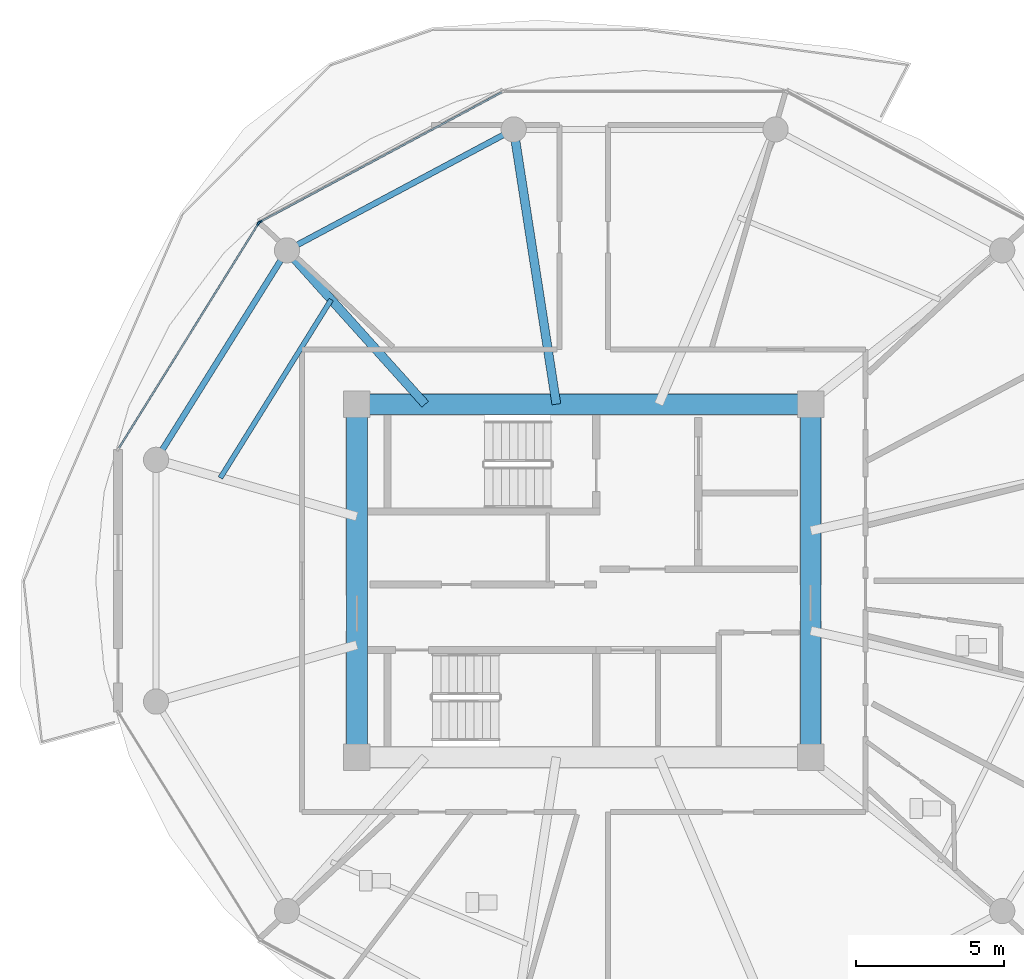
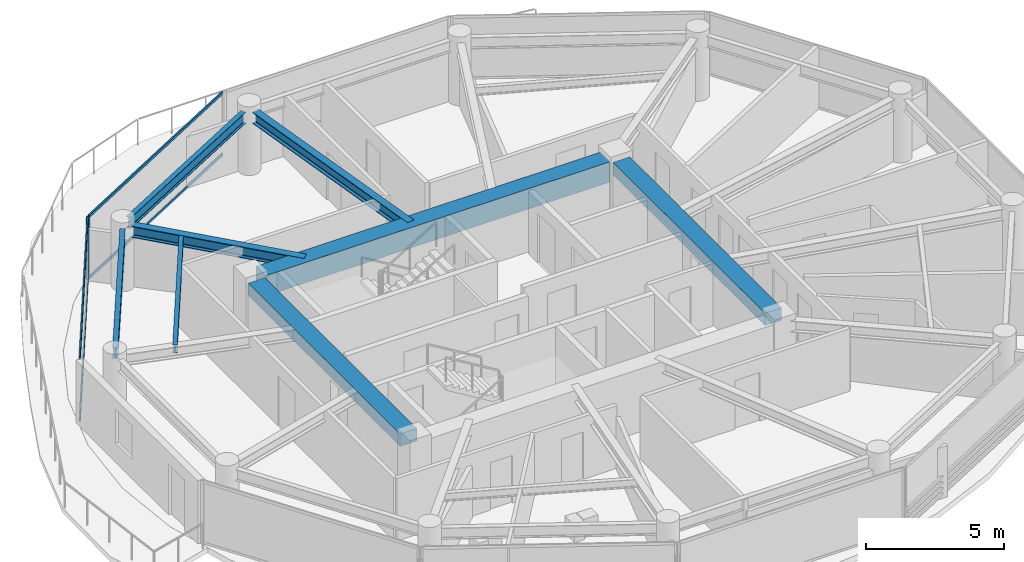
# One storey, part 4 of 25: 8 beams, 6 members, 2 elements without a shape of their own.
"""IFC4 building model written with IfcOpenShell, lengths in metres."""

from ifc_helpers import new_model, si_unit, direction, frame, origin, origin_2d, place, context, subcontext, project, spatial, rectangle, i_section, extrude, source, transform, mapped, material, layer, layer_set, material_profile, profile_set, type_object, type_shapes, element, aggregate, save


model = new_model("IFC4")

# Units and contexts
model_context = context("Model", 3, precision=1e-05, world=origin(), true_north=direction((0.0, 1.0)))
body_context = subcontext(model_context, "Body", "Model", "MODEL_VIEW")
ifc_project = project(units=[si_unit("LENGTHUNIT", "METRE"), si_unit("AREAUNIT", "SQUARE_METRE"), si_unit("VOLUMEUNIT", "CUBIC_METRE"), si_unit("PLANEANGLEUNIT", "RADIAN"), si_unit("MASSUNIT", "GRAM", prefix="KILO")], contexts=[model_context])

# Site, building, storey
site_placement = place(None, origin())
site = spatial("IfcSite", under=ifc_project, at=site_placement, CompositionType="ELEMENT")
building_placement = place(site_placement, origin())
building = spatial("IfcBuilding", under=site, at=building_placement, Name="Norrkilde Senior Care Towers", CompositionType="ELEMENT")
storey_placement = place(building_placement, frame((0.0, 0.0, 84.050048828125)))
storey = spatial("IfcBuildingStorey", under=building, at=storey_placement, Name="L25", CompositionType="ELEMENT", Elevation=84.050048828125)

# Beams
ifc_material_1 = material(Name="Concrete C60/75", Category="concrete")
ifc_material_profile_1 = material_profile(ifc_material_1, rectangle(XDim=0.699951171875, YDim=0.89990234375, at=origin_2d()), Name="RC BM 700x900")
ifc_profile_set_1 = profile_set([ifc_material_profile_1], Name="Concrete C60/75")
beam_type_1 = type_object("IfcBeamType", Name="Core Coupling Girder 700x900", PredefinedType="USERDEFINED", material=ifc_profile_set_1)
shared_shape_1 = source(origin(), body_context, "Body", "SweptSolid", [
    extrude(rectangle(XDim=0.699951171875, YDim=0.89990234375, at=origin_2d()), origin(), (0.0, 0.0, 1.0), 14.43994140625),
])
type_shapes(beam_type_1, [shared_shape_1])
beam_1_placement = place(storey_placement, frame((-35.219970703125, 5.949951171875, 2.33984375), z_axis=(1.0, 0.0, 0.0), x_axis=(0.0, 1.0, 0.0)))
element("IfcBeam", 1, at=beam_1_placement, inside=storey, type_object=beam_type_1, Name="L25 Core W N Coupling Girder", ObjectType="GIRDER", PredefinedType="USERDEFINED", context=body_context, shape_type="MappedRepresentation", body=[
    mapped(shared_shape_1, transform((0.0, 0.0, 0.0), x_axis=(1.0, 0.0, 0.0), y_axis=(0.0, 1.0, 0.0), z_axis=(0.0, 0.0, 1.0), scale=1.0)),
])
ifc_material_profile_2 = material_profile(ifc_material_1, rectangle(XDim=0.699951171875, YDim=0.550048828125, at=origin_2d()), Name="RC BM 700x550")
ifc_profile_set_2 = profile_set([ifc_material_profile_2], Name="Concrete C60/75")
beam_type_2 = type_object("IfcBeamType", Name="Core Portal Coupling Beam 700x550", PredefinedType="USERDEFINED", material=ifc_profile_set_2)
shared_shape_2 = source(origin(), body_context, "Body", "SweptSolid", [
    extrude(rectangle(XDim=0.699951171875, YDim=0.550048828125, at=origin_2d()), origin(), (0.0, 0.0, 1.0), 11.0400390625),
])
type_shapes(beam_type_2, [shared_shape_2])
for number, where, z_axis, x_axis, name in (
    (2, (-35.64990234375, -5.52001953125, 2.514892578125), (0.0, 1.0, 0.0), (-1.0, 0.0, 0.0), "L25 Core W W Coupling Girder"),
    (3, (-20.35009765625, -5.52001953125, 2.514892578125), (0.0, 1.0, 0.0), (-1.0, 0.0, 0.0), "L25 Core W E Coupling Girder"),
):
    element("IfcBeam", number, at=place(storey_placement, frame(where, z_axis=z_axis, x_axis=x_axis)), inside=storey, type_object=beam_type_2, Name=name, ObjectType="GIRDER", PredefinedType="USERDEFINED", context=body_context, shape_type="MappedRepresentation", body=[
        mapped(shared_shape_2, transform((0.0, 0.0, 0.0), x_axis=(1.0, 0.0, 0.0), y_axis=(0.0, 1.0, 0.0), z_axis=(0.0, 0.0, 1.0), scale=1.0)),
    ])
ifc_material_2 = material(Name="Steel S355", Category="steel")
ifc_material_profile_3 = material_profile(ifc_material_2, i_section(OverallWidth=0.199951171875, OverallDepth=0.5, WebThickness=0.01025390625, FlangeThickness=0.01611328125, FilletRadius=0.02099609375, at=origin_2d()), Name="IPE 500")
ifc_profile_set_3 = profile_set([ifc_material_profile_3], Name="Steel S355")
beam_type_3 = type_object("IfcBeamType", Name="Perimeter Ring Spandrel Z2 IPE500", PredefinedType="SPANDREL", material=ifc_profile_set_3)
shared_shape_3 = source(origin(), body_context, "Body", "SweptSolid", [
    extrude(i_section(OverallWidth=0.199951171875, OverallDepth=0.5, WebThickness=0.01025390625, FlangeThickness=0.01611328125, FilletRadius=0.02099609375, at=origin_2d()), origin(), (0.0, 0.0, 1.0), 7.892333984375),
])
beam_2_placement = place(storey_placement, frame((-30.70263671875, 15.0322265625, 2.5400390625), z_axis=(-0.882350372282, -0.47059305194, 0.0), x_axis=(0.47059305194, -0.882350372282, 0.0)))
element("IfcBeam", 4, at=beam_2_placement, inside=storey, type_object=beam_type_3, Name="L25 Drum W Perimeter Spandrel 04", PredefinedType="SPANDREL", context=body_context, shape_type="MappedRepresentation", body=[
    mapped(shared_shape_3, transform((0.0, 0.0, 0.0), x_axis=(1.0, 0.0, 0.0), y_axis=(0.0, 1.0, 0.0), z_axis=(0.0, 0.0, 1.0), scale=1.0)),
])
ifc_material_profile_4 = material_profile(ifc_material_2, i_section(OverallWidth=0.300048828125, OverallDepth=0.5, WebThickness=0.014404296875, FlangeThickness=0.028076171875, FilletRadius=0.027099609375, at=origin_2d()), Name="HEB 500")
ifc_profile_set_4 = profile_set([ifc_material_profile_4], Name="Steel S355")
beam_type_4 = type_object("IfcBeamType", Name="Radial Floor Beam Z2 HEB500", PredefinedType="BEAM", material=ifc_profile_set_4)
shared_shape_4 = source(origin(), body_context, "Body", "SweptSolid", [
    extrude(i_section(OverallWidth=0.300048828125, OverallDepth=0.5, WebThickness=0.014404296875, FlangeThickness=0.028076171875, FilletRadius=0.027099609375, at=origin_2d()), origin(), (0.0, 0.0, 1.0), 8.989501953125),
])
beam_3_placement = place(storey_placement, frame((-28.924072265625, 5.949951171875, 2.5400390625), z_axis=(-0.153471298636, 0.988153105796, 0.0), x_axis=(-0.988153105796, -0.153471298636, 0.0)))
element("IfcBeam", 5, at=beam_3_placement, inside=storey, type_object=beam_type_4, Name="L25 Drum W Radial Floor Beam 04", PredefinedType="BEAM", context=body_context, shape_type="MappedRepresentation", body=[
    mapped(shared_shape_4, transform((0.0, 0.0, 0.0), x_axis=(1.0, 0.0, 0.0), y_axis=(0.0, 1.0, 0.0), z_axis=(0.0, 0.0, 1.0), scale=1.0)),
])
shared_shape_5 = source(origin(), body_context, "Body", "SweptSolid", [
    extrude(i_section(OverallWidth=0.199951171875, OverallDepth=0.5, WebThickness=0.01025390625, FlangeThickness=0.01611328125, FilletRadius=0.02099609375, at=origin_2d()), origin(), (0.0, 0.0, 1.0), 7.556396484375),
])
type_shapes(beam_type_3, [shared_shape_3, shared_shape_5])
beam_4_placement = place(storey_placement, frame((-38.210205078125, 10.810546875, 2.5400390625), z_axis=(-0.530004748437, -0.847994673706, 0.0), x_axis=(0.847994673706, -0.530004748437, 0.0)))
element("IfcBeam", 6, at=beam_4_placement, inside=storey, type_object=beam_type_3, Name="L25 Drum W Perimeter Spandrel 05", PredefinedType="SPANDREL", context=body_context, shape_type="MappedRepresentation", body=[
    mapped(shared_shape_5, transform((0.0, 0.0, 0.0), x_axis=(1.0, 0.0, 0.0), y_axis=(0.0, 1.0, 0.0), z_axis=(0.0, 0.0, 1.0), scale=1.0)),
])
shared_shape_6 = source(origin(), body_context, "Body", "SweptSolid", [
    extrude(i_section(OverallWidth=0.300048828125, OverallDepth=0.5, WebThickness=0.014404296875, FlangeThickness=0.028076171875, FilletRadius=0.027099609375, at=origin_2d()), origin(), (0.0, 0.0, 1.0), 6.587890625),
])
type_shapes(beam_type_4, [shared_shape_4, shared_shape_6])
beam_5_placement = place(storey_placement, frame((-33.345947265625, 5.949951171875, 2.5400390625), z_axis=(-0.668315438605, 0.743877997068, 0.0), x_axis=(-0.743877997068, -0.668315438605, 0.0)))
element("IfcBeam", 7, at=beam_5_placement, inside=storey, type_object=beam_type_4, Name="L25 Drum W Radial Floor Beam 05", PredefinedType="BEAM", context=body_context, shape_type="MappedRepresentation", body=[
    mapped(shared_shape_6, transform((0.0, 0.0, 0.0), x_axis=(1.0, 0.0, 0.0), y_axis=(0.0, 1.0, 0.0), z_axis=(0.0, 0.0, 1.0), scale=1.0)),
])
ifc_material_profile_5 = material_profile(ifc_material_2, i_section(OverallWidth=0.169921875, OverallDepth=0.360107421875, WebThickness=0.008056640625, FlangeThickness=0.0126953125, FilletRadius=0.01806640625, at=origin_2d()), Name="IPE 360")
ifc_profile_set_5 = profile_set([ifc_material_profile_5], Name="Steel S355")
beam_type_5 = type_object("IfcBeamType", Name="Secondary Floor Joist IPE360", PredefinedType="JOIST", material=ifc_profile_set_5)
shared_shape_7 = source(origin(), body_context, "Body", "SweptSolid", [
    extrude(i_section(OverallWidth=0.169921875, OverallDepth=0.360107421875, WebThickness=0.008056640625, FlangeThickness=0.0126953125, FilletRadius=0.01806640625, at=origin_2d()), origin(), (0.0, 0.0, 1.0), 7.080078125),
])
type_shapes(beam_type_5, [shared_shape_7])
beam_6_placement = place(storey_placement, frame((-36.514892578125, 9.47705078125, 2.60986328125), z_axis=(-0.527961009189, -0.849268610497, 0.0), x_axis=(0.849268610497, -0.527961009189, 0.0)))
element("IfcBeam", 8, at=beam_6_placement, inside=storey, type_object=beam_type_5, Name="L25 Drum W Secondary Floor Joist 2", PredefinedType="JOIST", context=body_context, shape_type="MappedRepresentation", body=[
    mapped(shared_shape_7, transform((0.0, 0.0, 0.0), x_axis=(1.0, 0.0, 0.0), y_axis=(0.0, 1.0, 0.0), z_axis=(0.0, 0.0, 1.0), scale=1.0)),
])

# Curtain wall, member
ifc_material_3 = material(Name="Triple Low-E Insulated Glazing", Category="glass")
ifc_layer = layer(ifc_material_3, 0.195068359375)
ifc_layer_set = layer_set([ifc_layer], Name="Triple Low-E Insulated Glazing")
curtain_wall_type = type_object("IfcCurtainWallType", Name="CW3 Zone 2 Assisted Living Curtain Wall", PredefinedType="NOTDEFINED", material=ifc_layer_set)
curtain_wall_1_placement = place(storey_placement, origin())
curtain_wall_1 = element("IfcCurtainWall", 9, at=curtain_wall_1_placement, inside=storey, type_object=curtain_wall_type, Name="L25 Drum W Curtain Wall 03", PredefinedType="NOTDEFINED")
ifc_material_4 = material(Name="Anodised Aluminium", Category="aluminium")
ifc_material_profile_6 = material_profile(ifc_material_4, rectangle(XDim=0.06494140625, YDim=0.159912109375, at=origin_2d()), Name="ALU MULL 65x160")
ifc_profile_set_6 = profile_set([ifc_material_profile_6], Name="Anodised Aluminium")
member_type_1 = type_object("IfcMemberType", Name="Curtain Wall Mullion Z1-Z2 65x160", PredefinedType="MULLION", material=ifc_profile_set_6)
shared_shape_8 = source(origin(), body_context, "Body", "SweptSolid", [
    extrude(rectangle(XDim=0.06494140625, YDim=0.159912109375, at=origin_2d()), origin(), (0.0, 0.0, 1.0), 2.7900390625),
])
type_shapes(member_type_1, [shared_shape_8])
member_1_placement = place(storey_placement, frame((-38.91796875, 12.0927734375, 0.0), z_axis=(0.0, 0.0, 1.0), x_axis=(-0.472769402511, 0.881186184668, 0.0)))
member_1 = element("IfcMember", 10, at=member_1_placement, type_object=member_type_1, Name="CW-3 mullion 1", PredefinedType="MULLION", context=body_context, shape_type="MappedRepresentation", body=[
    mapped(shared_shape_8, transform((0.0, 0.0, 0.0), x_axis=(1.0, 0.0, 0.0), y_axis=(0.0, 1.0, 0.0), z_axis=(0.0, 0.0, 1.0), scale=1.0)),
])

# Curtain wall, members
curtain_wall_2_placement = place(storey_placement, origin())
curtain_wall_2 = element("IfcCurtainWall", 11, at=curtain_wall_2_placement, inside=storey, type_object=curtain_wall_type, Name="L25 Drum W Curtain Wall 04", PredefinedType="NOTDEFINED")
member_2_placement = place(storey_placement, frame((-38.9638671875, 12.0498046875, 0.0), z_axis=(0.0, 0.0, 1.0), x_axis=(-0.849410171862, 0.527733228002, 0.0)))
member_2 = element("IfcMember", 12, at=member_2_placement, type_object=member_type_1, Name="CW-3 mullion 2", PredefinedType="MULLION", context=body_context, shape_type="MappedRepresentation", body=[
    mapped(shared_shape_8, transform((0.0, 0.0, 0.0), x_axis=(1.0, 0.0, 0.0), y_axis=(0.0, 1.0, 0.0), z_axis=(0.0, 0.0, 1.0), scale=1.0)),
])
ifc_material_profile_7 = material_profile(ifc_material_4, rectangle(XDim=0.06005859375, YDim=0.1201171875, at=origin_2d()), Name="ALU TRAN 60x120")
ifc_profile_set_7 = profile_set([ifc_material_profile_7], Name="Anodised Aluminium")
member_type_2 = type_object("IfcMemberType", Name="Curtain Wall Transom Typical 60x120", PredefinedType="USERDEFINED", material=ifc_profile_set_7)
shared_shape_9 = source(origin(), body_context, "Body", "SweptSolid", [
    extrude(rectangle(XDim=0.06005859375, YDim=0.1201171875, at=origin_2d()), origin(), (0.0, 0.0, 1.0), 8.88427734375),
])
member_3_placement = place(storey_placement, frame((-43.66943359375, 4.475830078125, 0.030029296875), z_axis=(0.527729466743, 0.849412508697, 0.0), x_axis=(-0.849412508697, 0.527729466743, 0.0)))
member_3 = element("IfcMember", 13, at=member_3_placement, type_object=member_type_2, Name="CW-3 transom 1.1", ObjectType="TRANSOM", PredefinedType="USERDEFINED", context=body_context, shape_type="MappedRepresentation", body=[
    mapped(shared_shape_9, transform((0.0, 0.0, 0.0), x_axis=(1.0, 0.0, 0.0), y_axis=(0.0, 1.0, 0.0), z_axis=(0.0, 0.0, 1.0), scale=1.0)),
])
member_4_placement = place(storey_placement, frame((-43.66943359375, 4.475830078125, 2.760009765625), z_axis=(0.527729466743, 0.849412508697, 0.0), x_axis=(-0.849412508697, 0.527729466743, 0.0)))
member_4 = element("IfcMember", 14, at=member_4_placement, type_object=member_type_2, Name="CW-3 transom 1.2", ObjectType="TRANSOM", PredefinedType="USERDEFINED", context=body_context, shape_type="MappedRepresentation", body=[
    mapped(shared_shape_9, transform((0.0, 0.0, 0.0), x_axis=(1.0, 0.0, 0.0), y_axis=(0.0, 1.0, 0.0), z_axis=(0.0, 0.0, 1.0), scale=1.0)),
])
aggregate(curtain_wall_2, [member_2, member_3, member_4])

# Member
shared_shape_10 = source(origin(), body_context, "Body", "SweptSolid", [
    extrude(rectangle(XDim=0.06005859375, YDim=0.1201171875, at=origin_2d()), origin(), (0.0, 0.0, 1.0), 9.220458984375),
])
type_shapes(member_type_2, [shared_shape_9, shared_shape_10])
member_5_placement = place(storey_placement, frame((-38.889404296875, 12.108154296875, 0.030029296875), z_axis=(0.881188517866, 0.472765053681, 0.0), x_axis=(-0.472765053681, 0.881188517866, 0.0)))
member_5 = element("IfcMember", 15, at=member_5_placement, type_object=member_type_2, Name="CW-3 transom 1.1", ObjectType="TRANSOM", PredefinedType="USERDEFINED", context=body_context, shape_type="MappedRepresentation", body=[
    mapped(shared_shape_10, transform((0.0, 0.0, 0.0), x_axis=(1.0, 0.0, 0.0), y_axis=(0.0, 1.0, 0.0), z_axis=(0.0, 0.0, 1.0), scale=1.0)),
])

member_6_placement = place(storey_placement, frame((-38.889404296875, 12.108154296875, 2.760009765625), z_axis=(0.881188517866, 0.472765053681, 0.0), x_axis=(-0.472765053681, 0.881188517866, 0.0)))
member_6 = element("IfcMember", 16, at=member_6_placement, type_object=member_type_2, Name="CW-3 transom 1.2", ObjectType="TRANSOM", PredefinedType="USERDEFINED", context=body_context, shape_type="MappedRepresentation", body=[
    mapped(shared_shape_10, transform((0.0, 0.0, 0.0), x_axis=(1.0, 0.0, 0.0), y_axis=(0.0, 1.0, 0.0), z_axis=(0.0, 0.0, 1.0), scale=1.0)),
])

aggregate(curtain_wall_1, [member_1, member_5, member_6])

save(model, "model.ifc")
